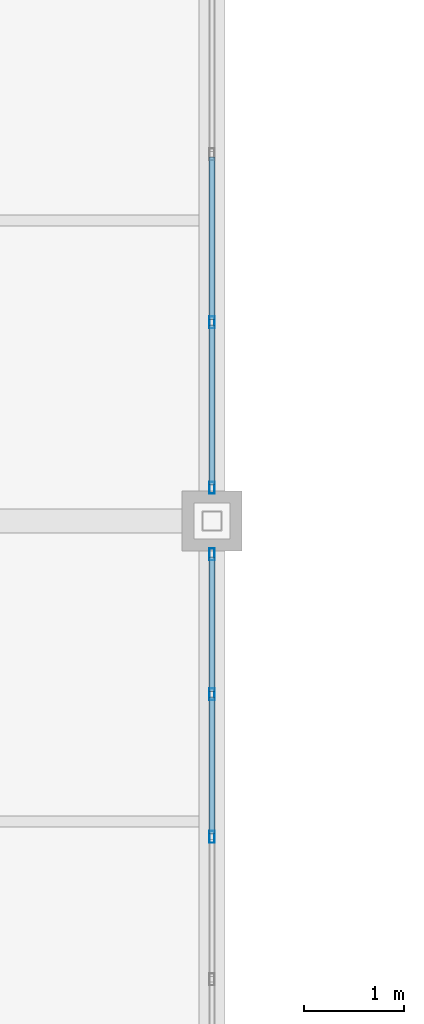
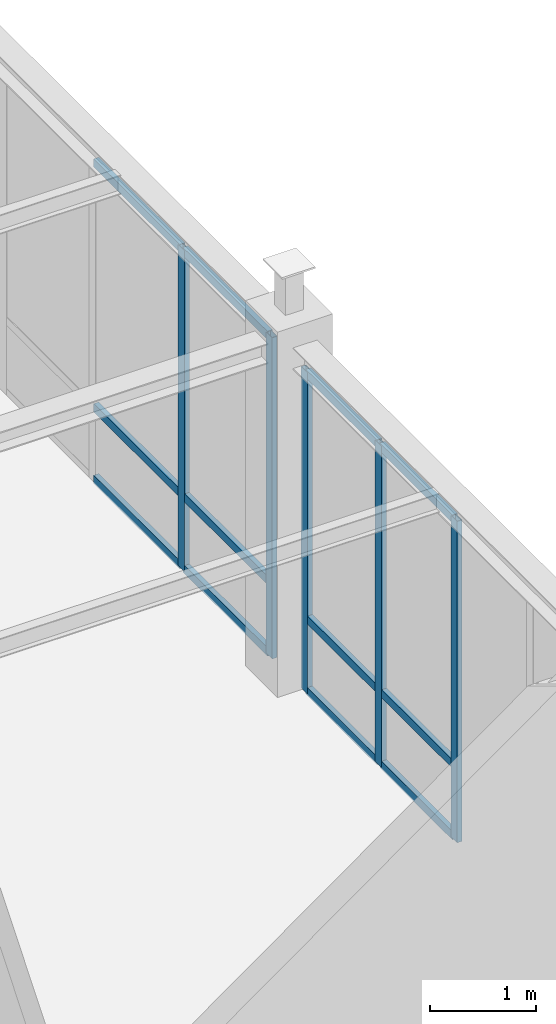
# One storey, part 12 of 36: 17 members, 2 elements without a shape of their own.
"""IFC4 building model written with IfcOpenShell, lengths in metres."""

from ifc_helpers import new_model, si_unit, direction, frame, origin, origin_2d, place, context, subcontext, project, spatial, hollow_rectangle, extrude, material, material_profile, profile_set, type_object, element, aggregate, save


model = new_model("IFC4")

# Units and contexts
model_context = context("Model", 3, precision=1e-05, world=origin(), true_north=direction((0.0, 1.0)))
body_context = subcontext(model_context, "Body", "Model", "MODEL_VIEW")
ifc_project = project(units=[si_unit("LENGTHUNIT", "METRE"), si_unit("AREAUNIT", "SQUARE_METRE"), si_unit("VOLUMEUNIT", "CUBIC_METRE"), si_unit("PLANEANGLEUNIT", "RADIAN"), si_unit("MASSUNIT", "GRAM", prefix="KILO")], contexts=[model_context])

# Site, building, storey
site_placement = place(None, origin())
site = spatial("IfcSite", under=ifc_project, at=site_placement, CompositionType="ELEMENT")
building_placement = place(site_placement, origin())
building = spatial("IfcBuilding", under=site, at=building_placement, Name="Lykobir Media Centre", CompositionType="ELEMENT")
storey_placement = place(building_placement, frame((0.0, 0.0, 27.60009765625)))
storey = spatial("IfcBuildingStorey", under=building, at=storey_placement, Name="L06", CompositionType="ELEMENT", Elevation=27.60009765625)

# Curtain wall, members
ifc_material = material(Name="Anodized Aluminium AW-6060", Category="aluminium")
curtain_wall_type = type_object("IfcCurtainWallType", Name="CW-COURT-B", PredefinedType="NOTDEFINED", material=ifc_material)
curtain_wall_1_placement = place(storey_placement, origin())
curtain_wall_1 = element("IfcCurtainWall", 1, at=curtain_wall_1_placement, inside=storey, type_object=curtain_wall_type, Name="Curtain wall CW2-L06-0210", PredefinedType="NOTDEFINED")
ifc_material_profile_1 = material_profile(ifc_material, hollow_rectangle(XDim=0.054931640625, YDim=0.1201171875, WallThickness=0.003173828125, at=origin_2d()), Name="ALU MULLION 55x120")
ifc_profile_set_1 = profile_set([ifc_material_profile_1], Name="Anodized Aluminium AW-6060")
member_type_1 = type_object("IfcMemberType", Name="CWM-120", PredefinedType="MULLION", material=ifc_profile_set_1)
member_1_placement = place(storey_placement, frame((36.0, 26.66748046875, 0.0), z_axis=(0.0, 0.0, 1.0), x_axis=(1.0, 0.0, 0.0)))
member_1 = element("IfcMember", 2, at=member_1_placement, type_object=member_type_1, Name="CW2-L06-0210 mullion 1", PredefinedType="MULLION", context=body_context, shape_type="SweptSolid", body=[
    extrude(hollow_rectangle(XDim=0.054931640625, YDim=0.1201171875, WallThickness=0.003173828125, at=origin_2d()), origin(), (0.0, 0.0, 1.0), 3.69482421875),
])
member_2_placement = place(storey_placement, frame((36.0, 25.271240234375, 0.0), z_axis=(0.0, 0.0, 1.0), x_axis=(1.0, 0.0, 0.0)))
member_2 = element("IfcMember", 3, at=member_2_placement, type_object=member_type_1, Name="CW2-L06-0210 mullion 2", PredefinedType="MULLION", context=body_context, shape_type="SweptSolid", body=[
    extrude(hollow_rectangle(XDim=0.054931640625, YDim=0.1201171875, WallThickness=0.003173828125, at=origin_2d()), origin(), (0.0, 0.0, 1.0), 3.69482421875),
])
member_3_placement = place(storey_placement, frame((36.0, 23.847412109375, 0.0), z_axis=(0.0, 0.0, 1.0), x_axis=(1.0, 0.0, 0.0)))
member_3 = element("IfcMember", 4, at=member_3_placement, type_object=member_type_1, Name="CW2-L06-0210 mullion 3", PredefinedType="MULLION", context=body_context, shape_type="SweptSolid", body=[
    extrude(hollow_rectangle(XDim=0.054931640625, YDim=0.1201171875, WallThickness=0.003173828125, at=origin_2d()), origin(), (0.0, 0.0, 1.0), 3.69482421875),
])

curtain_wall_2_placement = place(storey_placement, origin())
curtain_wall_2 = element("IfcCurtainWall", 5, at=curtain_wall_2_placement, inside=storey, type_object=curtain_wall_type, Name="Curtain wall CW2-L06-0211", PredefinedType="NOTDEFINED")
member_4_placement = place(storey_placement, frame((36.0, 28.98291015625, 0.0), z_axis=(0.0, 0.0, 1.0), x_axis=(1.0, 0.0, 0.0)))
member_4 = element("IfcMember", 6, at=member_4_placement, type_object=member_type_1, Name="CW2-L06-0211 mullion 5", PredefinedType="MULLION", context=body_context, shape_type="SweptSolid", body=[
    extrude(hollow_rectangle(XDim=0.054931640625, YDim=0.1201171875, WallThickness=0.003173828125, at=origin_2d()), origin(), (0.0, 0.0, 1.0), 3.69287109375),
])
member_5_placement = place(storey_placement, frame((36.0, 27.33251953125, 0.0), z_axis=(0.0, 0.0, 1.0), x_axis=(1.0, 0.0, 0.0)))
member_5 = element("IfcMember", 7, at=member_5_placement, type_object=member_type_1, Name="CW2-L06-0211 mullion 6", PredefinedType="MULLION", context=body_context, shape_type="SweptSolid", body=[
    extrude(hollow_rectangle(XDim=0.054931640625, YDim=0.1201171875, WallThickness=0.003173828125, at=origin_2d()), origin(), (0.0, 0.0, 1.0), 3.69287109375),
])

# Member
ifc_material_profile_2 = material_profile(ifc_material, hollow_rectangle(XDim=0.054931640625, YDim=0.094970703125, WallThickness=0.0029296875, at=origin_2d()), Name="ALU TRANSOM 55x95")
ifc_profile_set_2 = profile_set([ifc_material_profile_2], Name="Anodized Aluminium AW-6060")
member_type_2 = type_object("IfcMemberType", Name="CWT-095", PredefinedType="USERDEFINED", material=ifc_profile_set_2)
member_6_placement = place(storey_placement, frame((36.0, 26.639892578125, 0.02734375), z_axis=(0.0, -1.0, 0.0), x_axis=(1.0, 0.0, 0.0)))
member_6 = element("IfcMember", 8, at=member_6_placement, type_object=member_type_2, Name="CW2-L06-0210 transom 1.1", ObjectType="TRANSOM", PredefinedType="USERDEFINED", context=body_context, shape_type="SweptSolid", body=[
    extrude(hollow_rectangle(XDim=0.054931640625, YDim=0.094970703125, WallThickness=0.0029296875, at=origin_2d()), origin(), (0.0, 0.0, 1.0), 1.341064453125),
])

member_7_placement = place(storey_placement, frame((36.0, 26.639892578125, 0.849853515625), z_axis=(0.0, -1.0, 0.0), x_axis=(1.0, 0.0, 0.0)))
member_7 = element("IfcMember", 9, at=member_7_placement, type_object=member_type_2, Name="CW2-L06-0210 transom 1.2", ObjectType="TRANSOM", PredefinedType="USERDEFINED", context=body_context, shape_type="SweptSolid", body=[
    extrude(hollow_rectangle(XDim=0.054931640625, YDim=0.094970703125, WallThickness=0.0029296875, at=origin_2d()), origin(), (0.0, 0.0, 1.0), 1.341064453125),
])

member_8_placement = place(storey_placement, frame((36.0, 26.639892578125, 3.66748046875), z_axis=(0.0, -1.0, 0.0), x_axis=(1.0, 0.0, 0.0)))
member_8 = element("IfcMember", 10, at=member_8_placement, type_object=member_type_2, Name="CW2-L06-0210 transom 1.3", ObjectType="TRANSOM", PredefinedType="USERDEFINED", context=body_context, shape_type="SweptSolid", body=[
    extrude(hollow_rectangle(XDim=0.054931640625, YDim=0.094970703125, WallThickness=0.0029296875, at=origin_2d()), origin(), (0.0, 0.0, 1.0), 1.341064453125),
])

member_9_placement = place(storey_placement, frame((36.0, 25.24365234375, 0.02734375), z_axis=(0.0, -1.0, 0.0), x_axis=(1.0, 0.0, 0.0)))
member_9 = element("IfcMember", 11, at=member_9_placement, type_object=member_type_2, Name="CW2-L06-0210 transom 2.1", ObjectType="TRANSOM", PredefinedType="USERDEFINED", context=body_context, shape_type="SweptSolid", body=[
    extrude(hollow_rectangle(XDim=0.054931640625, YDim=0.094970703125, WallThickness=0.0029296875, at=origin_2d()), origin(), (0.0, 0.0, 1.0), 1.36865234375),
])

member_10_placement = place(storey_placement, frame((36.0, 25.24365234375, 0.849853515625), z_axis=(0.0, -1.0, 0.0), x_axis=(1.0, 0.0, 0.0)))
member_10 = element("IfcMember", 12, at=member_10_placement, type_object=member_type_2, Name="CW2-L06-0210 transom 2.2", ObjectType="TRANSOM", PredefinedType="USERDEFINED", context=body_context, shape_type="SweptSolid", body=[
    extrude(hollow_rectangle(XDim=0.054931640625, YDim=0.094970703125, WallThickness=0.0029296875, at=origin_2d()), origin(), (0.0, 0.0, 1.0), 1.36865234375),
])

member_11_placement = place(storey_placement, frame((36.0, 25.24365234375, 3.66748046875), z_axis=(0.0, -1.0, 0.0), x_axis=(1.0, 0.0, 0.0)))
member_11 = element("IfcMember", 13, at=member_11_placement, type_object=member_type_2, Name="CW2-L06-0210 transom 2.3", ObjectType="TRANSOM", PredefinedType="USERDEFINED", context=body_context, shape_type="SweptSolid", body=[
    extrude(hollow_rectangle(XDim=0.054931640625, YDim=0.094970703125, WallThickness=0.0029296875, at=origin_2d()), origin(), (0.0, 0.0, 1.0), 1.36865234375),
])

aggregate(curtain_wall_1, [member_1, member_2, member_3, member_6, member_7, member_8, member_9, member_10, member_11])

member_12_placement = place(storey_placement, frame((36.0, 30.633544921875, 0.02734375), z_axis=(0.0, -1.0, 0.0), x_axis=(1.0, 0.0, 0.0)))
member_12 = element("IfcMember", 14, at=member_12_placement, type_object=member_type_2, Name="CW2-L06-0211 transom 4.1", ObjectType="TRANSOM", PredefinedType="USERDEFINED", context=body_context, shape_type="SweptSolid", body=[
    extrude(hollow_rectangle(XDim=0.054931640625, YDim=0.094970703125, WallThickness=0.0029296875, at=origin_2d()), origin(), (0.0, 0.0, 1.0), 1.623046875),
])

member_13_placement = place(storey_placement, frame((36.0, 30.633544921875, 0.849853515625), z_axis=(0.0, -1.0, 0.0), x_axis=(1.0, 0.0, 0.0)))
member_13 = element("IfcMember", 15, at=member_13_placement, type_object=member_type_2, Name="CW2-L06-0211 transom 4.2", ObjectType="TRANSOM", PredefinedType="USERDEFINED", context=body_context, shape_type="SweptSolid", body=[
    extrude(hollow_rectangle(XDim=0.054931640625, YDim=0.094970703125, WallThickness=0.0029296875, at=origin_2d()), origin(), (0.0, 0.0, 1.0), 1.623046875),
])

member_14_placement = place(storey_placement, frame((36.0, 30.633544921875, 3.665283203125), z_axis=(0.0, -1.0, 0.0), x_axis=(1.0, 0.0, 0.0)))
member_14 = element("IfcMember", 16, at=member_14_placement, type_object=member_type_2, Name="CW2-L06-0211 transom 4.3", ObjectType="TRANSOM", PredefinedType="USERDEFINED", context=body_context, shape_type="SweptSolid", body=[
    extrude(hollow_rectangle(XDim=0.054931640625, YDim=0.094970703125, WallThickness=0.0029296875, at=origin_2d()), origin(), (0.0, 0.0, 1.0), 1.623046875),
])

member_15_placement = place(storey_placement, frame((36.0, 28.95556640625, 0.02734375), z_axis=(0.0, -1.0, 0.0), x_axis=(1.0, 0.0, 0.0)))
member_15 = element("IfcMember", 17, at=member_15_placement, type_object=member_type_2, Name="CW2-L06-0211 transom 5.1", ObjectType="TRANSOM", PredefinedType="USERDEFINED", context=body_context, shape_type="SweptSolid", body=[
    extrude(hollow_rectangle(XDim=0.054931640625, YDim=0.094970703125, WallThickness=0.0029296875, at=origin_2d()), origin(), (0.0, 0.0, 1.0), 1.595458984375),
])

member_16_placement = place(storey_placement, frame((36.0, 28.95556640625, 0.849853515625), z_axis=(0.0, -1.0, 0.0), x_axis=(1.0, 0.0, 0.0)))
member_16 = element("IfcMember", 18, at=member_16_placement, type_object=member_type_2, Name="CW2-L06-0211 transom 5.2", ObjectType="TRANSOM", PredefinedType="USERDEFINED", context=body_context, shape_type="SweptSolid", body=[
    extrude(hollow_rectangle(XDim=0.054931640625, YDim=0.094970703125, WallThickness=0.0029296875, at=origin_2d()), origin(), (0.0, 0.0, 1.0), 1.595458984375),
])

member_17_placement = place(storey_placement, frame((36.0, 28.95556640625, 3.665283203125), z_axis=(0.0, -1.0, 0.0), x_axis=(1.0, 0.0, 0.0)))
member_17 = element("IfcMember", 19, at=member_17_placement, type_object=member_type_2, Name="CW2-L06-0211 transom 5.3", ObjectType="TRANSOM", PredefinedType="USERDEFINED", context=body_context, shape_type="SweptSolid", body=[
    extrude(hollow_rectangle(XDim=0.054931640625, YDim=0.094970703125, WallThickness=0.0029296875, at=origin_2d()), origin(), (0.0, 0.0, 1.0), 1.595458984375),
])

aggregate(curtain_wall_2, [member_4, member_5, member_12, member_13, member_14, member_15, member_16, member_17])

save(model, "model.ifc")
